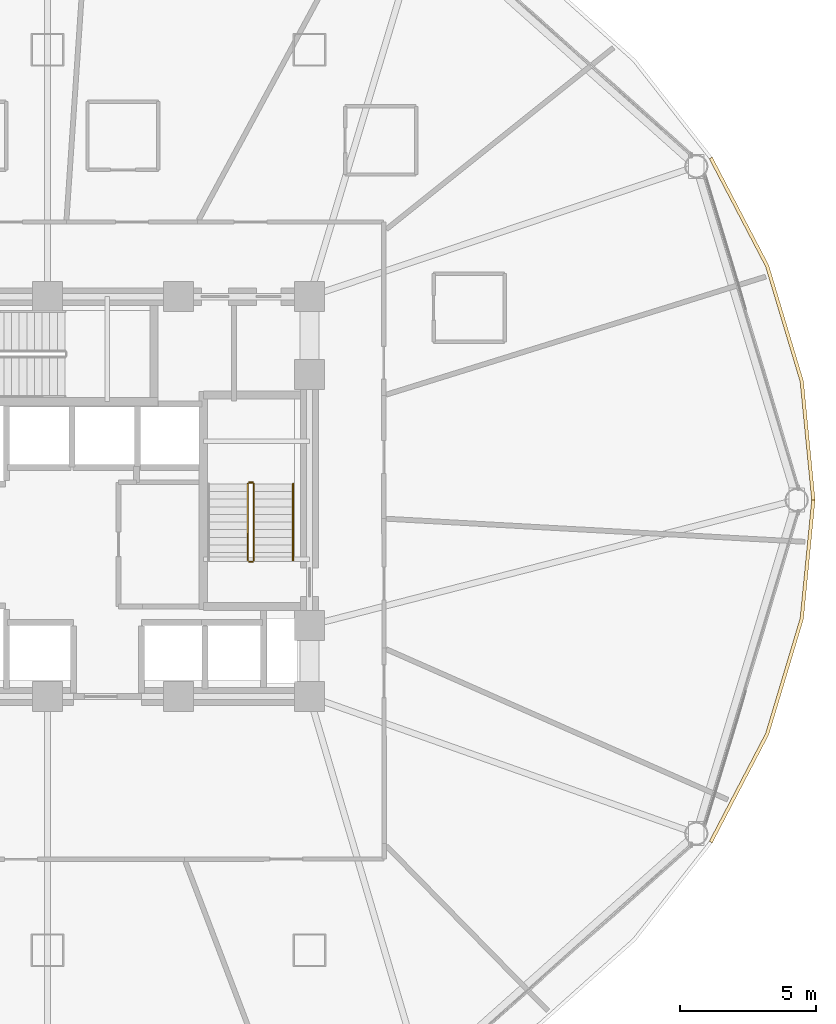
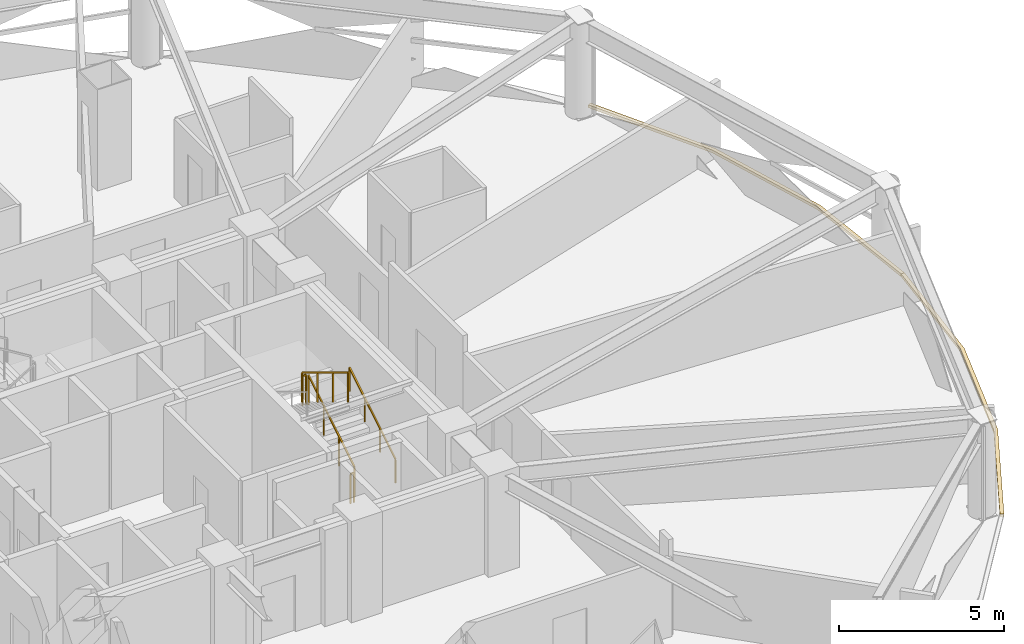
# One storey, part 28 of 29: 5 railings, 2 coverings.
"""IFC4 building model written with IfcOpenShell, lengths in metres."""

from ifc_helpers import new_model, si_unit, direction, frame, origin, origin_2d, place, context, subcontext, project, spatial, polyline, rectangle, outline, extrude, material, layer, layer_set, type_object, element, save


model = new_model("IFC4")

# Units and contexts
model_context = context("Model", 3, precision=1e-05, world=origin(), true_north=direction((0.0, 1.0)))
body_context = subcontext(model_context, "Body", "Model", "MODEL_VIEW")
ifc_project = project(units=[si_unit("LENGTHUNIT", "METRE"), si_unit("AREAUNIT", "SQUARE_METRE"), si_unit("VOLUMEUNIT", "CUBIC_METRE"), si_unit("PLANEANGLEUNIT", "RADIAN"), si_unit("MASSUNIT", "GRAM", prefix="KILO")], contexts=[model_context])

# Site, building, storey
site_placement = place(None, origin())
site = spatial("IfcSite", under=ifc_project, at=site_placement, CompositionType="ELEMENT")
building_placement = place(site_placement, origin())
building = spatial("IfcBuilding", under=site, at=building_placement, Name="Vantalir Tower", CompositionType="ELEMENT")
storey_placement = place(building_placement, frame((0.0, 0.0, 60.75)))
storey = spatial("IfcBuildingStorey", under=building, at=storey_placement, Name="L14", CompositionType="ELEMENT", Elevation=60.75)

# Coverings
ifc_material_1 = material(Name="Anodised champagne aluminium sill fascia", Category="aluminium")
ifc_layer = layer(ifc_material_1, 0.125)
ifc_layer_set = layer_set([ifc_layer], Name="Anodised champagne aluminium sill fascia")
covering_type = type_object("IfcCoveringType", Name="COV-SLAB-FASCIA-125", PredefinedType="CLADDING", material=ifc_layer_set)
covering_1_placement = place(storey_placement, frame((0.0, 0.0, -0.179931640625)))
element("IfcCovering", 1, at=covering_1_placement, inside=storey, type_object=covering_type, Name="L14 Perimeter Slab-Edge Sill Fascia 01", PredefinedType="CLADDING", context=body_context, shape_type="SweptSolid", body=[
    extrude(outline(polyline([(59.6259765625, 25.0), (59.198974609375, 29.363037109375), (57.929931640625, 33.593994140625), (55.85791015625, 37.56298828125), (55.75, 37.5), (57.81201171875, 33.551025390625), (59.075927734375, 29.341064453125), (59.5009765625, 25.0), (59.6259765625, 25.0)])), origin(), (0.0, 0.0, 1.0), 0.10498046875),
])
covering_2_placement = place(storey_placement, frame((0.0, 0.0, -0.179931640625)))
element("IfcCovering", 2, at=covering_2_placement, inside=storey, type_object=covering_type, Name="L14 Perimeter Slab-Edge Sill Fascia 12", PredefinedType="CLADDING", context=body_context, shape_type="SweptSolid", body=[
    extrude(outline(polyline([(55.85791015625, 12.43701171875), (57.929931640625, 16.406005859375), (59.198974609375, 20.636962890625), (59.6259765625, 25.0), (59.5009765625, 25.0), (59.075927734375, 20.658935546875), (57.81201171875, 16.448974609375), (55.75, 12.4990234375), (55.85791015625, 12.43701171875)])), origin(), (0.0, 0.0, 1.0), 0.10498046875),
])

# Railings
ifc_material_2 = material(Name="Anodised aluminium and stainless steel guard", Category="steel")
railing_type_1 = type_object("IfcRailingType", Name="RAL-GUARD-1120", PredefinedType="GUARDRAIL", material=ifc_material_2)
railing_1_placement = place(storey_placement, frame((39.06005859375, 22.7900390625, 0.17041015625)))
element("IfcRailing", 3, at=railing_1_placement, inside=storey, type_object=railing_type_1, Name="L14 ST2 stair guard 1", PredefinedType="GUARDRAIL", context=body_context, shape_type="SweptSolid", body=[
    extrude(rectangle(XDim=0.048095703125, YDim=0.048095703125, at=origin_2d()), frame((0.0, 0.0, 1.09619140625), z_axis=(0.0, 0.854169791009, 0.51999420009), x_axis=(-1.0, 0.0, 0.0)), (0.0, 0.0, 1.0), 3.278076171875),
    extrude(rectangle(XDim=0.0419921875, YDim=0.0419921875, at=origin_2d()), origin(), (0.0, 0.0, 1.0), 1.072021484375),
    extrude(rectangle(XDim=0.0419921875, YDim=0.0419921875, at=origin_2d()), frame((0.0, 0.933349609375, 0.568115234375)), (0.0, 0.0, 1.0), 1.072021484375),
    extrude(rectangle(XDim=0.0419921875, YDim=0.0419921875, at=origin_2d()), frame((0.0, 1.86669921875, 1.136474609375)), (0.0, 0.0, 1.0), 1.072021484375),
    extrude(rectangle(XDim=0.0419921875, YDim=0.0419921875, at=origin_2d()), frame((0.0, 2.800048828125, 1.70458984375)), (0.0, 0.0, 1.0), 1.072021484375),
])
railing_2_placement = place(storey_placement, frame((39.010009765625, 25.639892578125, 1.875)))
element("IfcRailing", 4, at=railing_2_placement, inside=storey, type_object=railing_type_1, Name="L14 ST2 stair guard 2", PredefinedType="GUARDRAIL", context=body_context, shape_type="SweptSolid", body=[
    extrude(rectangle(XDim=0.048095703125, YDim=0.048095703125, at=origin_2d()), frame((0.0, 0.0, 1.09619140625), z_axis=(-1.0, 0.0, 0.0), x_axis=(0.0, -1.0, 0.0)), (0.0, 0.0, 1.0), 0.1201171875),
    extrude(rectangle(XDim=0.0419921875, YDim=0.0419921875, at=origin_2d()), origin(), (0.0, 0.0, 1.0), 1.072021484375),
    extrude(rectangle(XDim=0.0419921875, YDim=0.0419921875, at=origin_2d()), frame((-0.1201171875, 0.0, 0.0)), (0.0, 0.0, 1.0), 1.072021484375),
])
railing_3_placement = place(storey_placement, frame((38.840087890625, 25.590087890625, 2.04541015625)))
element("IfcRailing", 5, at=railing_3_placement, inside=storey, type_object=railing_type_1, Name="L14 ST2 stair guard 3", PredefinedType="GUARDRAIL", context=body_context, shape_type="SweptSolid", body=[
    extrude(rectangle(XDim=0.048095703125, YDim=0.048095703125, at=origin_2d()), frame((0.0, 0.0, 1.09619140625), z_axis=(0.0, -0.854169791009, 0.51999420009), x_axis=(1.0, 0.0, 0.0)), (0.0, 0.0, 1.0), 3.278076171875),
    extrude(rectangle(XDim=0.0419921875, YDim=0.0419921875, at=origin_2d()), origin(), (0.0, 0.0, 1.0), 1.072021484375),
    extrude(rectangle(XDim=0.0419921875, YDim=0.0419921875, at=origin_2d()), frame((0.0, -0.933349609375, 0.568115234375)), (0.0, 0.0, 1.0), 1.072021484375),
    extrude(rectangle(XDim=0.0419921875, YDim=0.0419921875, at=origin_2d()), frame((0.0, -1.86669921875, 1.136474609375)), (0.0, 0.0, 1.0), 1.072021484375),
    extrude(rectangle(XDim=0.0419921875, YDim=0.0419921875, at=origin_2d()), frame((0.0, -2.800048828125, 1.70458984375)), (0.0, 0.0, 1.0), 1.072021484375),
])
railing_4_placement = place(storey_placement, frame((39.010009765625, 22.739990234375, 0.0)))
element("IfcRailing", 6, at=railing_4_placement, inside=storey, type_object=railing_type_1, Name="L14 ST2 stair guard 4", PredefinedType="GUARDRAIL", context=body_context, shape_type="SweptSolid", body=[
    extrude(rectangle(XDim=0.048095703125, YDim=0.048095703125, at=origin_2d()), frame((0.0, 0.0, 1.09619140625), z_axis=(-1.0, 0.0, 0.0), x_axis=(0.0, -1.0, 0.0)), (0.0, 0.0, 1.0), 0.1201171875),
    extrude(rectangle(XDim=0.0419921875, YDim=0.0419921875, at=origin_2d()), origin(), (0.0, 0.0, 1.0), 1.072021484375),
    extrude(rectangle(XDim=0.0419921875, YDim=0.0419921875, at=origin_2d()), frame((-0.1201171875, 0.0, 0.0)), (0.0, 0.0, 1.0), 1.072021484375),
])
ifc_material_3 = material(Name="Brushed stainless steel tubular handrail", Category="steel")
railing_type_2 = type_object("IfcRailingType", Name="RAL-HANDRAIL-900", PredefinedType="HANDRAIL", material=ifc_material_3)
railing_5_placement = place(storey_placement, frame((40.5, 22.7900390625, 0.17041015625)))
element("IfcRailing", 7, at=railing_5_placement, inside=storey, type_object=railing_type_2, Name="L14 ST2 stair handrail 1", PredefinedType="HANDRAIL", context=body_context, shape_type="SweptSolid", body=[
    extrude(rectangle(XDim=0.048095703125, YDim=0.048095703125, at=origin_2d()), frame((0.0, 0.0, 0.8759765625), z_axis=(0.0, 0.854169791009, 0.51999420009), x_axis=(-1.0, 0.0, 0.0)), (0.0, 0.0, 1.0), 3.278076171875),
    extrude(rectangle(XDim=0.0419921875, YDim=0.0419921875, at=origin_2d()), origin(), (0.0, 0.0, 1.0), 0.851806640625),
    extrude(rectangle(XDim=0.0419921875, YDim=0.0419921875, at=origin_2d()), frame((0.0, 0.933349609375, 0.568115234375)), (0.0, 0.0, 1.0), 0.851806640625),
    extrude(rectangle(XDim=0.0419921875, YDim=0.0419921875, at=origin_2d()), frame((0.0, 1.86669921875, 1.136474609375)), (0.0, 0.0, 1.0), 0.851806640625),
    extrude(rectangle(XDim=0.0419921875, YDim=0.0419921875, at=origin_2d()), frame((0.0, 2.800048828125, 1.70458984375)), (0.0, 0.0, 1.0), 0.851806640625),
])

save(model, "model.ifc")
